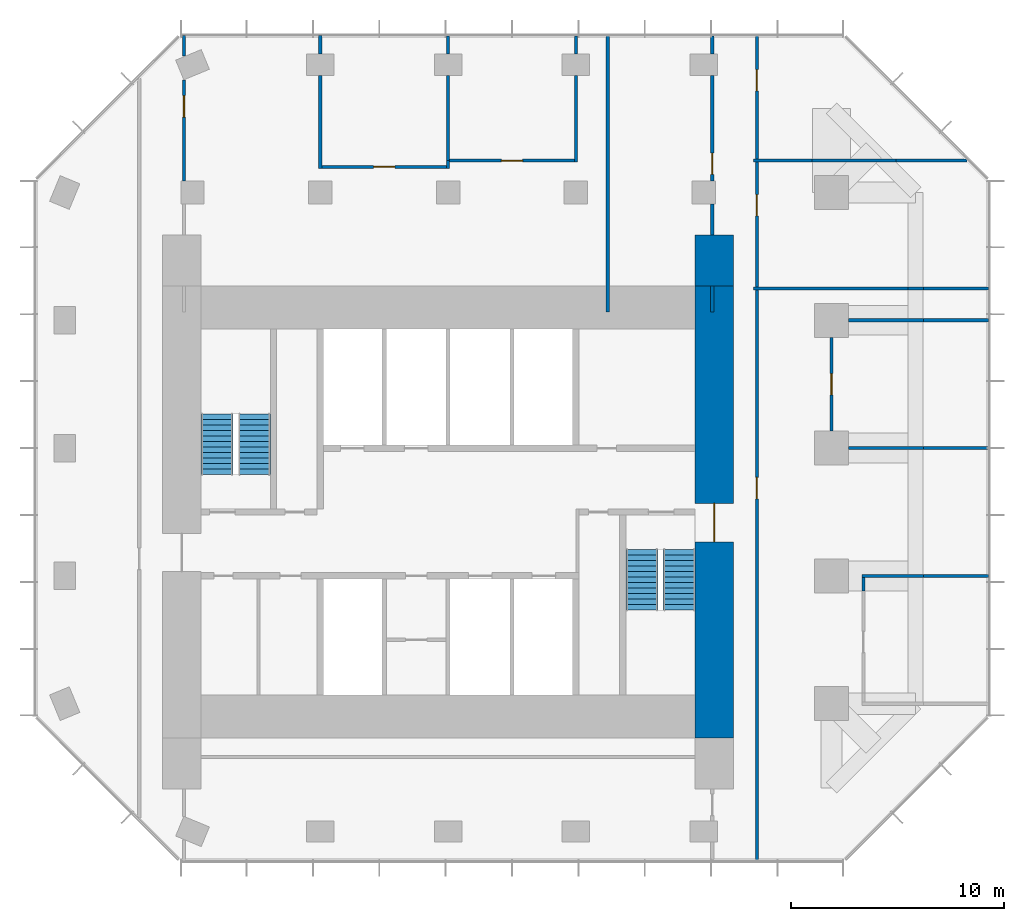
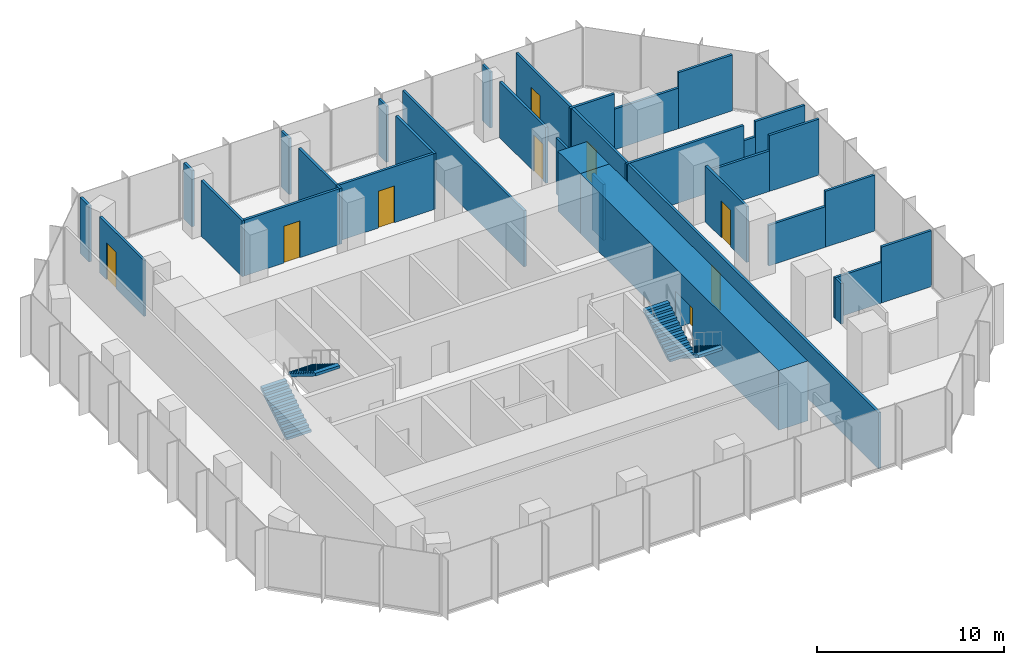
# One storey, part 9 of 10: 35 walls, 9 doors, 4 stair flights, 9 openings, 2 elements without a shape of their own.
"""IFC4 building model written with IfcOpenShell, lengths in metres."""

from ifc_helpers import new_model, si_unit, direction, frame, frame_2d, origin, place, context, subcontext, project, spatial, polyline, rectangle, outline, extrude, material, layer, layer_set, type_object, element, fill, aggregate, save


model = new_model("IFC4")

# Units and contexts
model_context = context("Model", 3, precision=1e-05, world=origin(), true_north=direction((0.0, 1.0)))
body_context = subcontext(model_context, "Body", "Model", "MODEL_VIEW")
ifc_project = project(units=[si_unit("LENGTHUNIT", "METRE"), si_unit("AREAUNIT", "SQUARE_METRE"), si_unit("VOLUMEUNIT", "CUBIC_METRE"), si_unit("PLANEANGLEUNIT", "RADIAN"), si_unit("MASSUNIT", "GRAM", prefix="KILO")], contexts=[model_context])

# Site, building, storey
site_placement = place(None, origin())
site = spatial("IfcSite", under=ifc_project, at=site_placement, CompositionType="ELEMENT")
building_placement = place(site_placement, origin())
building = spatial("IfcBuilding", under=site, at=building_placement, Name="Highveld Stack Headquarters", CompositionType="ELEMENT")
storey_placement = place(building_placement, frame((0.0, 0.0, 252.800048828125)))
storey = spatial("IfcBuildingStorey", under=building, at=storey_placement, Name="L62", CompositionType="ELEMENT", Elevation=252.800048828125)

# Wall, opening, door
ifc_material_1 = material(Name="Concrete C60/75", Category="concrete")
ifc_layer_1 = layer(ifc_material_1, 1.800048828125)
ifc_layer_set_1 = layer_set([ifc_layer_1], Name="Concrete C60/75")
wall_type_1 = type_object("IfcWallType", Name="CORE WALL 1800 C60/75", PredefinedType="SHEAR", material=ifc_layer_set_1)
wall_1_placement = place(storey_placement, frame((18.5, -7.60009765625, 0.0), z_axis=(0.0, 0.0, 1.0), x_axis=(0.0, 1.0, 0.0)))
wall_1 = element("IfcWall", 1, at=wall_1_placement, inside=storey, type_object=wall_type_1, Name="Core wall E L62", PredefinedType="SHEAR", context=body_context, shape_type="SweptSolid", body=[
    extrude(rectangle(XDim=21.2001953125, YDim=1.800048828125, at=frame_2d((10.60009765625, 0.0))), origin(), (0.0, 0.0, 1.0), 3.89990234375),
])
opening_1_placement = place(wall_1_placement, frame((9.199951171875, 0.0, 0.0)))
opening_1 = element("IfcOpeningElement", 2, at=opening_1_placement, cuts=wall_1, Name="Opening L62-02", PredefinedType="OPENING", context=body_context, shape_type="SweptSolid", body=[
    extrude(rectangle(XDim=1.800048828125, YDim=2.39990234375, at=frame_2d((0.89990234375, 1.199951171875))), frame((0.0, 0.909912109375, 0.0), z_axis=(0.0, -1.0, 0.0), x_axis=(1.0, 0.0, 0.0)), (0.0, 0.0, 1.0), 1.820068359375),
])
ifc_material_2 = material(Name="Steel fire door", Category="steel")
door_type_1 = type_object("IfcDoorType", Name="LOBBY FIRE DOOR D4 1800x2400", OperationType="DOUBLE_DOOR_SINGLE_SWING", PredefinedType="DOOR", material=ifc_material_2)
door_1_placement = place(opening_1_placement, origin())
door_1 = element("IfcDoor", 3, at=door_1_placement, inside=storey, type_object=door_type_1, Name="Core east door L62", OperationType="DOUBLE_DOOR_SINGLE_SWING", OverallHeight=2.39990234375, OverallWidth=1.800048828125, PredefinedType="DOOR", context=body_context, shape_type="SweptSolid", body=[
    extrude(rectangle(XDim=1.800048828125, YDim=2.39990234375, at=frame_2d((0.89990234375, 1.199951171875))), frame((0.0, 0.02490234375, 0.0), z_axis=(0.0, -1.0, 0.0), x_axis=(1.0, 0.0, 0.0)), (0.0, 0.0, 1.0), 0.050048828125),
])
fill(opening_1, door_1)

# Walls
ifc_material_3 = material(Name="Concrete C60/75", Category="concrete")
ifc_layer_2 = layer(ifc_material_3, 1.800048828125)
ifc_layer_set_2 = layer_set([ifc_layer_2], Name="Concrete C60/75")
wall_type_2 = type_object("IfcWallType", Name="CORE WING WALL 1800 C60/75", PredefinedType="SHEAR", material=ifc_layer_set_2)
wall_2_placement = place(storey_placement, frame((18.5, 13.60009765625, 0.0), z_axis=(0.0, 0.0, 1.0), x_axis=(0.0, 1.0, 0.0)))
element("IfcWall", 4, at=wall_2_placement, inside=storey, type_object=wall_type_2, Name="Core wing wall EN L62", PredefinedType="SHEAR", context=body_context, shape_type="SweptSolid", body=[
    extrude(rectangle(XDim=2.39990234375, YDim=1.800048828125, at=frame_2d((1.199951171875, 0.0))), origin(), (0.0, 0.0, 1.0), 3.89990234375),
])
ifc_material_4 = material(Name="Gypsum plasterboard on steel studs", Category="steel")
ifc_layer_3 = layer(ifc_material_4, 0.14990234375)
ifc_layer_set_3 = layer_set([ifc_layer_3], Name="Gypsum plasterboard on steel studs")
wall_type_3 = type_object("IfcWallType", Name="PARTITION 150 PLASTERBOARD", PredefinedType="PARTITIONING", material=ifc_layer_set_3)
wall_3_placement = place(storey_placement, frame((25.425048828125, 0.0, 0.0), z_axis=(0.0, 0.0, 1.0), x_axis=(1.0, 0.0, 0.0)))
element("IfcWall", 5, at=wall_3_placement, inside=storey, type_object=wall_type_3, Name="Partition Quiet room L62", PredefinedType="PARTITIONING", context=body_context, shape_type="SweptSolid", body=[
    extrude(rectangle(XDim=2.885009765625, YDim=0.14990234375, at=frame_2d((1.4423828125, 0.0))), origin(), (0.0, 0.0, 1.0), 2.64990234375),
])
wall_4_placement = place(storey_placement, frame((28.31005859375, 0.0, 0.0), z_axis=(0.0, 0.0, 1.0), x_axis=(1.0, 0.0, 0.0)))
element("IfcWall", 6, at=wall_4_placement, inside=storey, type_object=wall_type_3, Name="Partition Quiet room L62", PredefinedType="PARTITIONING", context=body_context, shape_type="SweptSolid", body=[
    extrude(rectangle(XDim=3.06494140625, YDim=0.14990234375, at=frame_2d((1.532470703125, 0.0))), origin(), (0.0, 0.0, 1.0), 3.64990234375),
])
wall_5_placement = place(storey_placement, frame((24.800048828125, 6.0, 0.0), z_axis=(0.0, 0.0, 1.0), x_axis=(1.0, 0.0, 0.0)))
element("IfcWall", 7, at=wall_5_placement, inside=storey, type_object=wall_type_3, Name="Partition Executive office L62", PredefinedType="PARTITIONING", context=body_context, shape_type="SweptSolid", body=[
    extrude(rectangle(XDim=3.510009765625, YDim=0.14990234375, at=frame_2d((1.7548828125, 0.0))), origin(), (0.0, 0.0, 1.0), 2.64990234375),
])
wall_6_placement = place(storey_placement, frame((28.31005859375, 6.0, 0.0), z_axis=(0.0, 0.0, 1.0), x_axis=(1.0, 0.0, 0.0)))
element("IfcWall", 8, at=wall_6_placement, inside=storey, type_object=wall_type_3, Name="Partition Executive office L62", PredefinedType="PARTITIONING", context=body_context, shape_type="SweptSolid", body=[
    extrude(rectangle(XDim=3.0400390625, YDim=0.14990234375, at=frame_2d((1.52001953125, 0.0))), origin(), (0.0, 0.0, 1.0), 3.64990234375),
])
wall_7_placement = place(storey_placement, frame((24.800048828125, 12.0, 0.0), z_axis=(0.0, 0.0, 1.0), x_axis=(1.0, 0.0, 0.0)))
element("IfcWall", 9, at=wall_7_placement, inside=storey, type_object=wall_type_3, Name="Partition Executive office L62", PredefinedType="PARTITIONING", context=body_context, shape_type="SweptSolid", body=[
    extrude(rectangle(XDim=3.510009765625, YDim=0.14990234375, at=frame_2d((1.7548828125, 0.0))), origin(), (0.0, 0.0, 1.0), 2.64990234375),
])
wall_8_placement = place(storey_placement, frame((28.31005859375, 12.0, 0.0), z_axis=(0.0, 0.0, 1.0), x_axis=(1.0, 0.0, 0.0)))
element("IfcWall", 10, at=wall_8_placement, inside=storey, type_object=wall_type_3, Name="Partition Executive office L62", PredefinedType="PARTITIONING", context=body_context, shape_type="SweptSolid", body=[
    extrude(rectangle(XDim=3.06494140625, YDim=0.14990234375, at=frame_2d((1.532470703125, 0.0))), origin(), (0.0, 0.0, 1.0), 3.64990234375),
])

# Wall, opening, door
wall_9_placement = place(storey_placement, frame((0.074951171875, 19.199951171875, 0.0), z_axis=(0.0, 0.0, 1.0), x_axis=(1.0, 0.0, 0.0)))
wall_9 = element("IfcWall", 11, at=wall_9_placement, inside=storey, type_object=wall_type_3, Name="Partition Tea kitchen L62", PredefinedType="PARTITIONING", context=body_context, shape_type="SweptSolid", body=[
    extrude(rectangle(XDim=5.85009765625, YDim=0.14990234375, at=frame_2d((2.925048828125, 0.0))), origin(), (0.0, 0.0, 1.0), 3.64990234375),
])
opening_2_placement = place(wall_9_placement, frame((2.425048828125, 0.0, 0.0)))
opening_2 = element("IfcOpeningElement", 12, at=opening_2_placement, cuts=wall_9, Name="Opening L62-14", PredefinedType="OPENING", context=body_context, shape_type="SweptSolid", body=[
    extrude(rectangle(XDim=1.0, YDim=2.39990234375, at=frame_2d((0.5, 1.199951171875))), frame((0.0, 0.0849609375, 0.0), z_axis=(0.0, -1.0, 0.0), x_axis=(1.0, 0.0, 0.0)), (0.0, 0.0, 1.0), 0.169921875),
])
ifc_material_5 = material(Name="Timber door, oiled ash", Category="wood")
door_type_2 = type_object("IfcDoorType", Name="ROOM DOOR D11 1000x2400", OperationType="SINGLE_SWING_LEFT", PredefinedType="DOOR", material=ifc_material_5)
door_2_placement = place(opening_2_placement, origin())
door_2 = element("IfcDoor", 13, at=door_2_placement, inside=storey, type_object=door_type_2, Name="Tea kitchen door 1 L62", OperationType="SINGLE_SWING_LEFT", OverallHeight=2.39990234375, OverallWidth=1.0, PredefinedType="DOOR", context=body_context, shape_type="SweptSolid", body=[
    extrude(rectangle(XDim=1.0, YDim=2.39990234375, at=frame_2d((0.5, 1.199951171875))), frame((0.0, 0.02490234375, 0.0), z_axis=(0.0, -1.0, 0.0), x_axis=(1.0, 0.0, 0.0)), (0.0, 0.0, 1.0), 0.050048828125),
])
fill(opening_2, door_2)

wall_10_placement = place(storey_placement, frame((6.074951171875, 19.5, 0.0), z_axis=(0.0, 0.0, 1.0), x_axis=(1.0, 0.0, 0.0)))
wall_10 = element("IfcWall", 14, at=wall_10_placement, inside=storey, type_object=wall_type_3, Name="Partition Quiet room L62", PredefinedType="PARTITIONING", context=body_context, shape_type="SweptSolid", body=[
    extrude(rectangle(XDim=5.85009765625, YDim=0.14990234375, at=frame_2d((2.925048828125, 0.0))), origin(), (0.0, 0.0, 1.0), 3.64990234375),
])
opening_3_placement = place(wall_10_placement, frame((2.425048828125, 0.0, 0.0)))
opening_3 = element("IfcOpeningElement", 15, at=opening_3_placement, cuts=wall_10, Name="Opening L62-15", PredefinedType="OPENING", context=body_context, shape_type="SweptSolid", body=[
    extrude(rectangle(XDim=1.0, YDim=2.39990234375, at=frame_2d((0.5, 1.199951171875))), frame((0.0, 0.0849609375, 0.0), z_axis=(0.0, -1.0, 0.0), x_axis=(1.0, 0.0, 0.0)), (0.0, 0.0, 1.0), 0.169921875),
])
door_3_placement = place(opening_3_placement, origin())
door_3 = element("IfcDoor", 16, at=door_3_placement, inside=storey, type_object=door_type_2, Name="Quiet room door 1 L62", OperationType="SINGLE_SWING_RIGHT", OverallHeight=2.39990234375, OverallWidth=1.0, PredefinedType="DOOR", context=body_context, shape_type="SweptSolid", body=[
    extrude(rectangle(XDim=1.0, YDim=2.39990234375, at=frame_2d((0.5, 1.199951171875))), frame((0.0, 0.02490234375, 0.0), z_axis=(0.0, -1.0, 0.0), x_axis=(1.0, 0.0, 0.0)), (0.0, 0.0, 1.0), 0.050048828125),
])
fill(opening_3, door_3)

# Walls
wall_11_placement = place(storey_placement, frame((0.0, 19.125, 0.0), z_axis=(0.0, 0.0, 1.0), x_axis=(0.0, 1.0, 0.0)))
element("IfcWall", 17, at=wall_11_placement, inside=storey, type_object=wall_type_3, Name="Partition Tea kitchen L62", PredefinedType="PARTITIONING", context=body_context, shape_type="SweptSolid", body=[
    extrude(rectangle(XDim=4.375, YDim=0.14990234375, at=frame_2d((2.1875, 0.0))), origin(), (0.0, 0.0, 1.0), 3.64990234375),
])
wall_12_placement = place(storey_placement, frame((0.0, 24.5, 0.0), z_axis=(0.0, 0.0, 1.0), x_axis=(0.0, 1.0, 0.0)))
element("IfcWall", 18, at=wall_12_placement, inside=storey, type_object=wall_type_3, Name="Partition Tea kitchen L62", PredefinedType="PARTITIONING", context=body_context, shape_type="SweptSolid", body=[
    extrude(rectangle(XDim=0.875, YDim=0.14990234375, at=frame_2d((0.4375, 0.0))), origin(), (0.0, 0.0, 1.0), 3.64990234375),
])
wall_13_placement = place(storey_placement, frame((6.0, 19.125, 0.0), z_axis=(0.0, 0.0, 1.0), x_axis=(0.0, 1.0, 0.0)))
element("IfcWall", 19, at=wall_13_placement, inside=storey, type_object=wall_type_3, Name="Partition Tea kitchen L62", PredefinedType="PARTITIONING", context=body_context, shape_type="SweptSolid", body=[
    extrude(rectangle(XDim=0.375, YDim=0.14990234375, at=frame_2d((0.1875, 0.0))), origin(), (0.0, 0.0, 1.0), 3.64990234375),
])
wall_14_placement = place(storey_placement, frame((6.0, 19.5, 0.0), z_axis=(0.0, 0.0, 1.0), x_axis=(0.0, 1.0, 0.0)))
element("IfcWall", 20, at=wall_14_placement, inside=storey, type_object=wall_type_3, Name="Partition Quiet room / Tea kitchen L62", PredefinedType="PARTITIONING", context=body_context, shape_type="SweptSolid", body=[
    extrude(rectangle(XDim=4.0, YDim=0.14990234375, at=frame_2d((2.0, 0.0))), origin(), (0.0, 0.0, 1.0), 3.64990234375),
])
wall_15_placement = place(storey_placement, frame((6.0, 24.5, 0.0), z_axis=(0.0, 0.0, 1.0), x_axis=(0.0, 1.0, 0.0)))
element("IfcWall", 21, at=wall_15_placement, inside=storey, type_object=wall_type_3, Name="Partition Quiet room / Tea kitchen L62", PredefinedType="PARTITIONING", context=body_context, shape_type="SweptSolid", body=[
    extrude(rectangle(XDim=0.85009765625, YDim=0.14990234375, at=frame_2d((0.425048828125, 0.0))), origin(), (0.0, 0.0, 1.0), 3.64990234375),
])
wall_16_placement = place(storey_placement, frame((12.0, 19.425048828125, 0.0), z_axis=(0.0, 0.0, 1.0), x_axis=(0.0, 1.0, 0.0)))
element("IfcWall", 22, at=wall_16_placement, inside=storey, type_object=wall_type_3, Name="Partition Quiet room L62", PredefinedType="PARTITIONING", context=body_context, shape_type="SweptSolid", body=[
    extrude(rectangle(XDim=4.074951171875, YDim=0.14990234375, at=frame_2d((2.03759765625, 0.0))), origin(), (0.0, 0.0, 1.0), 3.64990234375),
])
wall_17_placement = place(storey_placement, frame((12.0, 24.5, 0.0), z_axis=(0.0, 0.0, 1.0), x_axis=(0.0, 1.0, 0.0)))
element("IfcWall", 23, at=wall_17_placement, inside=storey, type_object=wall_type_3, Name="Partition Quiet room L62", PredefinedType="PARTITIONING", context=body_context, shape_type="SweptSolid", body=[
    extrude(rectangle(XDim=0.85009765625, YDim=0.14990234375, at=frame_2d((0.425048828125, 0.0))), origin(), (0.0, 0.0, 1.0), 3.64990234375),
])

# Wall, opening, door
wall_18_placement = place(storey_placement, frame((24.0, 6.800048828125, 0.0), z_axis=(0.0, 0.0, 1.0), x_axis=(0.0, 1.0, 0.0)))
wall_18 = element("IfcWall", 24, at=wall_18_placement, inside=storey, type_object=wall_type_3, Name="Partition Executive office L62", PredefinedType="PARTITIONING", context=body_context, shape_type="SweptSolid", body=[
    extrude(rectangle(XDim=4.39990234375, YDim=0.14990234375, at=frame_2d((2.199951171875, 0.0))), origin(), (0.0, 0.0, 1.0), 3.64990234375),
])
opening_4_placement = place(wall_18_placement, frame((1.699951171875, 0.0, 0.0)))
opening_4 = element("IfcOpeningElement", 25, at=opening_4_placement, cuts=wall_18, Name="Opening L62-13", PredefinedType="OPENING", context=body_context, shape_type="SweptSolid", body=[
    extrude(rectangle(XDim=1.0, YDim=2.39990234375, at=frame_2d((0.5, 1.199951171875))), frame((0.0, 0.0849609375, 0.0), z_axis=(0.0, -1.0, 0.0), x_axis=(1.0, 0.0, 0.0)), (0.0, 0.0, 1.0), 0.169921875),
])
door_4_placement = place(opening_4_placement, origin())
door_4 = element("IfcDoor", 26, at=door_4_placement, inside=storey, type_object=door_type_2, Name="Executive office door 1 L62", OperationType="SINGLE_SWING_RIGHT", OverallHeight=2.39990234375, OverallWidth=1.0, PredefinedType="DOOR", context=body_context, shape_type="SweptSolid", body=[
    extrude(rectangle(XDim=1.0, YDim=2.39990234375, at=frame_2d((0.5, 1.199951171875))), frame((0.0, 0.02490234375, 0.0), z_axis=(0.0, -1.0, 0.0), x_axis=(1.0, 0.0, 0.0)), (0.0, 0.0, 1.0), 0.050048828125),
])
fill(opening_4, door_4)

# Wall
wall_19_placement = place(storey_placement, frame((25.5, -0.7099609375, 0.0), z_axis=(0.0, 0.0, 1.0), x_axis=(0.0, 1.0, 0.0)))
element("IfcWall", 27, at=wall_19_placement, inside=storey, type_object=wall_type_3, Name="Partition Quiet room L62", PredefinedType="PARTITIONING", context=body_context, shape_type="SweptSolid", body=[
    extrude(rectangle(XDim=0.635009765625, YDim=0.14990234375, at=frame_2d((0.3173828125, 0.0))), origin(), (0.0, 0.0, 1.0), 2.64990234375),
])

# Wall, opening, door
wall_20_placement = place(storey_placement, frame((-6.39990234375, 18.550048828125, 0.0), z_axis=(0.0, 0.0, 1.0), x_axis=(0.0, 1.0, 0.0)))
wall_20 = element("IfcWall", 28, at=wall_20_placement, inside=storey, type_object=wall_type_3, Name="Partition office neighbourhood L62", PredefinedType="PARTITIONING", context=body_context, shape_type="SweptSolid", body=[
    extrude(rectangle(XDim=4.7392578125, YDim=0.14990234375, at=frame_2d((2.36962890625, 0.0))), origin(), (0.0, 0.0, 1.0), 3.64990234375),
])
opening_5_placement = place(wall_20_placement, frame((2.9951171875, 0.0, 0.0)))
opening_5 = element("IfcOpeningElement", 29, at=opening_5_placement, cuts=wall_20, Name="Opening L62-19", PredefinedType="OPENING", context=body_context, shape_type="SweptSolid", body=[
    extrude(rectangle(XDim=1.0, YDim=2.39990234375, at=frame_2d((0.5, 1.199951171875))), frame((0.0, 0.0849609375, 0.0), z_axis=(0.0, -1.0, 0.0), x_axis=(1.0, 0.0, 0.0)), (0.0, 0.0, 1.0), 0.169921875),
])
door_5_placement = place(opening_5_placement, origin())
door_5 = element("IfcDoor", 30, at=door_5_placement, inside=storey, type_object=door_type_2, Name="Office neighbourhood door L62", OperationType="SINGLE_SWING_RIGHT", OverallHeight=2.39990234375, OverallWidth=1.0, PredefinedType="DOOR", context=body_context, shape_type="SweptSolid", body=[
    extrude(rectangle(XDim=1.0, YDim=2.39990234375, at=frame_2d((0.5, 1.199951171875))), frame((0.0, 0.02490234375, 0.0), z_axis=(0.0, -1.0, 0.0), x_axis=(1.0, 0.0, 0.0)), (0.0, 0.0, 1.0), 0.050048828125),
])
fill(opening_5, door_5)

# Walls
wall_21_placement = place(storey_placement, frame((-6.39990234375, 24.406494140625, 0.0), z_axis=(0.0, 0.0, 1.0), x_axis=(0.0, 1.0, 0.0)))
element("IfcWall", 31, at=wall_21_placement, inside=storey, type_object=wall_type_3, Name="Partition office neighbourhood L62", PredefinedType="PARTITIONING", context=body_context, shape_type="SweptSolid", body=[
    extrude(rectangle(XDim=0.968505859375, YDim=0.14990234375, at=frame_2d((0.484375, 0.0))), origin(), (0.0, 0.0, 1.0), 3.64990234375),
])
wall_22_placement = place(storey_placement, frame((13.5, 12.39990234375, 0.0), z_axis=(0.0, 0.0, 1.0), x_axis=(0.0, 1.0, 0.0)))
element("IfcWall", 32, at=wall_22_placement, inside=storey, type_object=wall_type_3, Name="Partition office neighbourhood L62", PredefinedType="PARTITIONING", context=body_context, shape_type="SweptSolid", body=[
    extrude(rectangle(XDim=12.97509765625, YDim=0.14990234375, at=frame_2d((6.487548828125, 0.0))), origin(), (0.0, 0.0, 1.0), 3.64990234375),
])
wall_23_placement = place(storey_placement, frame((18.39990234375, 12.39990234375, 0.0), z_axis=(0.0, 0.0, 1.0), x_axis=(0.0, 1.0, 0.0)))
element("IfcWall", 33, at=wall_23_placement, inside=storey, type_object=wall_type_3, Name="Partition office neighbourhood L62", PredefinedType="PARTITIONING", context=body_context, shape_type="SweptSolid", body=[
    extrude(rectangle(XDim=1.2001953125, YDim=0.14990234375, at=frame_2d((0.60009765625, 0.0))), origin(), (0.0, 0.0, 1.0), 3.64990234375),
])
wall_24_placement = place(storey_placement, frame((18.39990234375, 16.0, 0.0), z_axis=(0.0, 0.0, 1.0), x_axis=(0.0, 1.0, 0.0)))
element("IfcWall", 34, at=wall_24_placement, inside=storey, type_object=wall_type_3, Name="Partition office neighbourhood L62", PredefinedType="PARTITIONING", context=body_context, shape_type="SweptSolid", body=[
    extrude(rectangle(XDim=1.449951171875, YDim=0.14990234375, at=frame_2d((0.72509765625, 0.0))), origin(), (0.0, 0.0, 1.0), 3.64990234375),
])

# Wall, opening, door
wall_25_placement = place(storey_placement, frame((18.39990234375, 18.550048828125, 0.0), z_axis=(0.0, 0.0, 1.0), x_axis=(0.0, 1.0, 0.0)))
wall_25 = element("IfcWall", 35, at=wall_25_placement, inside=storey, type_object=wall_type_3, Name="Partition office neighbourhood L62", PredefinedType="PARTITIONING", context=body_context, shape_type="SweptSolid", body=[
    extrude(rectangle(XDim=4.949951171875, YDim=0.14990234375, at=frame_2d((2.47509765625, 0.0))), origin(), (0.0, 0.0, 1.0), 3.64990234375),
])
opening_6_placement = place(wall_25_placement, frame((0.300048828125, 0.0, 0.0)))
opening_6 = element("IfcOpeningElement", 36, at=opening_6_placement, cuts=wall_25, Name="Opening L62-20", PredefinedType="OPENING", context=body_context, shape_type="SweptSolid", body=[
    extrude(rectangle(XDim=1.0, YDim=2.39990234375, at=frame_2d((0.5, 1.199951171875))), frame((0.0, 0.0849609375, 0.0), z_axis=(0.0, -1.0, 0.0), x_axis=(1.0, 0.0, 0.0)), (0.0, 0.0, 1.0), 0.169921875),
])
door_6_placement = place(opening_6_placement, origin())
door_6 = element("IfcDoor", 37, at=door_6_placement, inside=storey, type_object=door_type_2, Name="Office neighbourhood door L62", OperationType="SINGLE_SWING_LEFT", OverallHeight=2.39990234375, OverallWidth=1.0, PredefinedType="DOOR", context=body_context, shape_type="SweptSolid", body=[
    extrude(rectangle(XDim=1.0, YDim=2.39990234375, at=frame_2d((0.5, 1.199951171875))), frame((0.0, 0.02490234375, 0.0), z_axis=(0.0, -1.0, 0.0), x_axis=(1.0, 0.0, 0.0)), (0.0, 0.0, 1.0), 0.050048828125),
])
fill(opening_6, door_6)

# Wall
wall_26_placement = place(storey_placement, frame((18.39990234375, 24.5, 0.0), z_axis=(0.0, 0.0, 1.0), x_axis=(0.0, 1.0, 0.0)))
element("IfcWall", 38, at=wall_26_placement, inside=storey, type_object=wall_type_3, Name="Partition office neighbourhood L62", PredefinedType="PARTITIONING", context=body_context, shape_type="SweptSolid", body=[
    extrude(rectangle(XDim=0.85009765625, YDim=0.14990234375, at=frame_2d((0.425048828125, 0.0))), origin(), (0.0, 0.0, 1.0), 3.64990234375),
])

# Wall, opening, door
wall_27_placement = place(storey_placement, frame((20.5, -13.375, 0.0), z_axis=(0.0, 0.0, 1.0), x_axis=(0.0, 1.0, 0.0)))
wall_27 = element("IfcWall", 39, at=wall_27_placement, inside=storey, type_object=wall_type_3, Name="Partition office neighbourhood L62", PredefinedType="PARTITIONING", context=body_context, shape_type="SweptSolid", body=[
    extrude(rectangle(XDim=26.800048828125, YDim=0.14990234375, at=frame_2d((13.39990234375, 0.0))), origin(), (0.0, 0.0, 1.0), 3.64990234375),
])
opening_7_placement = place(wall_27_placement, frame((16.9951171875, 0.0, 0.0)))
opening_7 = element("IfcOpeningElement", 40, at=opening_7_placement, cuts=wall_27, Name="Opening L62-16", PredefinedType="OPENING", context=body_context, shape_type="SweptSolid", body=[
    extrude(rectangle(XDim=1.0, YDim=2.39990234375, at=frame_2d((0.5, 1.199951171875))), frame((0.0, 0.0849609375, 0.0), z_axis=(0.0, -1.0, 0.0), x_axis=(1.0, 0.0, 0.0)), (0.0, 0.0, 1.0), 0.169921875),
])
door_7_placement = place(opening_7_placement, origin())
door_7 = element("IfcDoor", 41, at=door_7_placement, inside=storey, type_object=door_type_2, Name="Office neighbourhood door L62", OperationType="SINGLE_SWING_RIGHT", OverallHeight=2.39990234375, OverallWidth=1.0, PredefinedType="DOOR", context=body_context, shape_type="SweptSolid", body=[
    extrude(rectangle(XDim=1.0, YDim=2.39990234375, at=frame_2d((0.5, 1.199951171875))), frame((0.0, 0.02490234375, 0.0), z_axis=(0.0, -1.0, 0.0), x_axis=(1.0, 0.0, 0.0)), (0.0, 0.0, 1.0), 0.050048828125),
])
fill(opening_7, door_7)

wall_28_placement = place(storey_placement, frame((20.5, 13.574951171875, 0.0), z_axis=(0.0, 0.0, 1.0), x_axis=(0.0, 1.0, 0.0)))
wall_28 = element("IfcWall", 42, at=wall_28_placement, inside=storey, type_object=wall_type_3, Name="Partition office neighbourhood L62", PredefinedType="PARTITIONING", context=body_context, shape_type="SweptSolid", body=[
    extrude(rectangle(XDim=5.85009765625, YDim=0.14990234375, at=frame_2d((2.925048828125, 0.0))), origin(), (0.0, 0.0, 1.0), 3.64990234375),
])
opening_8_placement = place(wall_28_placement, frame((3.324951171875, 0.0, 0.0)))
opening_8 = element("IfcOpeningElement", 43, at=opening_8_placement, cuts=wall_28, Name="Opening L62-18", PredefinedType="OPENING", context=body_context, shape_type="SweptSolid", body=[
    extrude(rectangle(XDim=1.0, YDim=2.39990234375, at=frame_2d((0.5, 1.199951171875))), frame((0.0, 0.0849609375, 0.0), z_axis=(0.0, -1.0, 0.0), x_axis=(1.0, 0.0, 0.0)), (0.0, 0.0, 1.0), 0.169921875),
])
door_8_placement = place(opening_8_placement, origin())
door_8 = element("IfcDoor", 44, at=door_8_placement, inside=storey, type_object=door_type_2, Name="Office neighbourhood door L62", OperationType="SINGLE_SWING_RIGHT", OverallHeight=2.39990234375, OverallWidth=1.0, PredefinedType="DOOR", context=body_context, shape_type="SweptSolid", body=[
    extrude(rectangle(XDim=1.0, YDim=2.39990234375, at=frame_2d((0.5, 1.199951171875))), frame((0.0, 0.02490234375, 0.0), z_axis=(0.0, -1.0, 0.0), x_axis=(1.0, 0.0, 0.0)), (0.0, 0.0, 1.0), 0.050048828125),
])
fill(opening_8, door_8)

# Walls
wall_29_placement = place(storey_placement, frame((20.35009765625, 13.5, 0.0), z_axis=(0.0, 0.0, 1.0), x_axis=(1.0, 0.0, 0.0)))
element("IfcWall", 45, at=wall_29_placement, inside=storey, type_object=wall_type_3, Name="Partition office neighbourhood L62", PredefinedType="PARTITIONING", context=body_context, shape_type="SweptSolid", body=[
    extrude(rectangle(XDim=7.239990234375, YDim=0.14990234375, at=frame_2d((3.6201171875, 0.0))), origin(), (0.0, 0.0, 1.0), 3.64990234375),
])
wall_30_placement = place(storey_placement, frame((27.590087890625, 13.5, 0.0), z_axis=(0.0, 0.0, 1.0), x_axis=(1.0, 0.0, 0.0)))
element("IfcWall", 46, at=wall_30_placement, inside=storey, type_object=wall_type_3, Name="Partition office neighbourhood L62", PredefinedType="PARTITIONING", context=body_context, shape_type="SweptSolid", body=[
    extrude(rectangle(XDim=0.719970703125, YDim=0.14990234375, at=frame_2d((0.35986328125, 0.0))), origin(), (0.0, 0.0, 1.0), 2.64990234375),
])
wall_31_placement = place(storey_placement, frame((28.31005859375, 13.5, 0.0), z_axis=(0.0, 0.0, 1.0), x_axis=(1.0, 0.0, 0.0)))
element("IfcWall", 47, at=wall_31_placement, inside=storey, type_object=wall_type_3, Name="Partition office neighbourhood L62", PredefinedType="PARTITIONING", context=body_context, shape_type="SweptSolid", body=[
    extrude(rectangle(XDim=3.06494140625, YDim=0.14990234375, at=frame_2d((1.532470703125, 0.0))), origin(), (0.0, 0.0, 1.0), 3.64990234375),
])

# Wall, opening, door
wall_32_placement = place(storey_placement, frame((20.5, 19.574951171875, 0.0), z_axis=(0.0, 0.0, 1.0), x_axis=(0.0, 1.0, 0.0)))
wall_32 = element("IfcWall", 48, at=wall_32_placement, inside=storey, type_object=wall_type_3, Name="Partition office neighbourhood L62", PredefinedType="PARTITIONING", context=body_context, shape_type="SweptSolid", body=[
    extrude(rectangle(XDim=5.800048828125, YDim=0.14990234375, at=frame_2d((2.89990234375, 0.0))), origin(), (0.0, 0.0, 1.0), 3.64990234375),
])
opening_9_placement = place(wall_32_placement, frame((3.195068359375, 0.0, 0.0)))
opening_9 = element("IfcOpeningElement", 49, at=opening_9_placement, cuts=wall_32, Name="Opening L62-21", PredefinedType="OPENING", context=body_context, shape_type="SweptSolid", body=[
    extrude(rectangle(XDim=1.0, YDim=2.39990234375, at=frame_2d((0.5, 1.199951171875))), frame((0.0, 0.0849609375, 0.0), z_axis=(0.0, -1.0, 0.0), x_axis=(1.0, 0.0, 0.0)), (0.0, 0.0, 1.0), 0.169921875),
])
door_9_placement = place(opening_9_placement, origin())
door_9 = element("IfcDoor", 50, at=door_9_placement, inside=storey, type_object=door_type_2, Name="Office neighbourhood door L62", OperationType="SINGLE_SWING_RIGHT", OverallHeight=2.39990234375, OverallWidth=1.0, PredefinedType="DOOR", context=body_context, shape_type="SweptSolid", body=[
    extrude(rectangle(XDim=1.0, YDim=2.39990234375, at=frame_2d((0.5, 1.199951171875))), frame((0.0, 0.02490234375, 0.0), z_axis=(0.0, -1.0, 0.0), x_axis=(1.0, 0.0, 0.0)), (0.0, 0.0, 1.0), 0.050048828125),
])
fill(opening_9, door_9)

# Walls
wall_33_placement = place(storey_placement, frame((20.35009765625, 19.5, 0.0), z_axis=(0.0, 0.0, 1.0), x_axis=(1.0, 0.0, 0.0)))
element("IfcWall", 51, at=wall_33_placement, inside=storey, type_object=wall_type_3, Name="Partition office neighbourhood L62", PredefinedType="PARTITIONING", context=body_context, shape_type="SweptSolid", body=[
    extrude(rectangle(XDim=2.739990234375, YDim=0.14990234375, at=frame_2d((1.3701171875, 0.0))), origin(), (0.0, 0.0, 1.0), 3.64990234375),
])
wall_34_placement = place(storey_placement, frame((23.090087890625, 19.5, 0.0), z_axis=(0.0, 0.0, 1.0), x_axis=(1.0, 0.0, 0.0)))
element("IfcWall", 52, at=wall_34_placement, inside=storey, type_object=wall_type_3, Name="Partition office neighbourhood L62", PredefinedType="PARTITIONING", context=body_context, shape_type="SweptSolid", body=[
    extrude(rectangle(XDim=3.949951171875, YDim=0.14990234375, at=frame_2d((1.97509765625, 0.0))), origin(), (0.0, 0.0, 1.0), 2.64990234375),
])
wall_35_placement = place(storey_placement, frame((27.0400390625, 19.5, 0.0), z_axis=(0.0, 0.0, 1.0), x_axis=(1.0, 0.0, 0.0)))
element("IfcWall", 53, at=wall_35_placement, inside=storey, type_object=wall_type_3, Name="Partition office neighbourhood L62", PredefinedType="PARTITIONING", context=body_context, shape_type="SweptSolid", body=[
    extrude(rectangle(XDim=3.322998046875, YDim=0.14990234375, at=frame_2d((1.66162109375, 0.0))), origin(), (0.0, 0.0, 1.0), 3.64990234375),
])

# Stair, stair flights
ifc_material_6 = material(Name="Concrete C40/50, precast", Category="concrete")
stair_type_1 = type_object("IfcStairType", Name="STAIR S1 HALF TURN 1500", PredefinedType="HALF_TURN_STAIR", material=ifc_material_6)
stair_1_placement = place(storey_placement, origin())
stair_1 = element("IfcStair", 54, at=stair_1_placement, inside=storey, type_object=stair_type_1, Name="Stair S1 L62", PredefinedType="HALF_TURN_STAIR")
ifc_material_7 = material(Name="Concrete C40/50, precast", Category="concrete")
stair_flight_type = type_object("IfcStairFlightType", Name="STAIR FLIGHT 1500 PRECAST", PredefinedType="STRAIGHT", material=ifc_material_7)
stair_flight_1_placement = place(storey_placement, frame((-4.85009765625, 4.75, 0.0), z_axis=(0.0, 0.0, 1.0), x_axis=(0.0, 1.0, 0.0)))
stair_flight_1 = element("IfcStairFlight", 55, at=stair_flight_1_placement, type_object=stair_flight_type, Name="S1 flight 1", NumberOfRisers=12, NumberOfTreads=11, PredefinedType="STRAIGHT", RiserHeight=0.1625, TreadLength=0.26, context=body_context, shape_type="SweptSolid", body=[
    extrude(outline(polyline([(0.0, 0.0), (0.0, 0.16259765625), (0.260009765625, 0.16259765625), (0.260009765625, 0.324951171875), (0.52001953125, 0.324951171875), (0.52001953125, 0.487548828125), (0.780029296875, 0.487548828125), (0.780029296875, 0.64990234375), (1.0400390625, 0.64990234375), (1.0400390625, 0.8125), (1.300048828125, 0.8125), (1.300048828125, 0.97509765625), (1.56005859375, 0.97509765625), (1.56005859375, 1.137451171875), (1.820068359375, 1.137451171875), (1.820068359375, 1.300048828125), (2.080078125, 1.300048828125), (2.080078125, 1.46240234375), (2.340087890625, 1.46240234375), (2.340087890625, 1.625), (2.60009765625, 1.625), (2.60009765625, 1.78759765625), (2.860107421875, 1.78759765625), (2.860107421875, 1.949951171875), (2.860107421875, 1.61083984375), (0.28271484375, 0.0), (0.0, 0.0)])), frame((0.0, 0.75, 0.0), z_axis=(0.0, -1.0, 0.0), x_axis=(1.0, 0.0, 0.0)), (0.0, 0.0, 1.0), 1.5),
])
stair_flight_2_placement = place(storey_placement, frame((-3.10009765625, 7.610107421875, 1.949951171875), z_axis=(0.0, 0.0, 1.0), x_axis=(0.0, -1.0, 0.0)))
stair_flight_2 = element("IfcStairFlight", 56, at=stair_flight_2_placement, type_object=stair_flight_type, Name="S1 flight 2", NumberOfRisers=12, NumberOfTreads=11, PredefinedType="STRAIGHT", RiserHeight=0.1625, TreadLength=0.26, context=body_context, shape_type="SweptSolid", body=[
    extrude(outline(polyline([(0.0, 0.0), (0.0, 0.16259765625), (0.260009765625, 0.16259765625), (0.260009765625, 0.324951171875), (0.52001953125, 0.324951171875), (0.52001953125, 0.487548828125), (0.780029296875, 0.487548828125), (0.780029296875, 0.64990234375), (1.0400390625, 0.64990234375), (1.0400390625, 0.8125), (1.300048828125, 0.8125), (1.300048828125, 0.97509765625), (1.56005859375, 0.97509765625), (1.56005859375, 1.137451171875), (1.820068359375, 1.137451171875), (1.820068359375, 1.300048828125), (2.080078125, 1.300048828125), (2.080078125, 1.46240234375), (2.340087890625, 1.46240234375), (2.340087890625, 1.625), (2.60009765625, 1.625), (2.60009765625, 1.78759765625), (2.860107421875, 1.78759765625), (2.860107421875, 1.949951171875), (2.860107421875, 1.61083984375), (0.28271484375, 0.0), (0.0, 0.0)])), frame((0.0, 0.75, 0.0), z_axis=(0.0, -1.0, 0.0), x_axis=(1.0, 0.0, 0.0)), (0.0, 0.0, 1.0), 1.5),
])
aggregate(stair_1, [stair_flight_1, stair_flight_2])

ifc_material_8 = material(Name="Concrete C40/50, precast", Category="concrete")
stair_type_2 = type_object("IfcStairType", Name="STAIR S2 HALF TURN 1500", PredefinedType="HALF_TURN_STAIR", material=ifc_material_8)
stair_2_placement = place(storey_placement, origin())
stair_2 = element("IfcStair", 57, at=stair_2_placement, inside=storey, type_object=stair_type_2, Name="Stair S2 L62", PredefinedType="HALF_TURN_STAIR")
stair_flight_3_placement = place(storey_placement, frame((16.85009765625, 1.25, 0.0), z_axis=(0.0, 0.0, 1.0), x_axis=(0.0, -1.0, 0.0)))
stair_flight_3 = element("IfcStairFlight", 58, at=stair_flight_3_placement, type_object=stair_flight_type, Name="S2 flight 1", NumberOfRisers=12, NumberOfTreads=11, PredefinedType="STRAIGHT", RiserHeight=0.1625, TreadLength=0.26, context=body_context, shape_type="SweptSolid", body=[
    extrude(outline(polyline([(0.0, 0.0), (0.0, 0.16259765625), (0.260009765625, 0.16259765625), (0.260009765625, 0.324951171875), (0.52001953125, 0.324951171875), (0.52001953125, 0.487548828125), (0.780029296875, 0.487548828125), (0.780029296875, 0.64990234375), (1.0400390625, 0.64990234375), (1.0400390625, 0.8125), (1.300048828125, 0.8125), (1.300048828125, 0.97509765625), (1.56005859375, 0.97509765625), (1.56005859375, 1.137451171875), (1.820068359375, 1.137451171875), (1.820068359375, 1.300048828125), (2.080078125, 1.300048828125), (2.080078125, 1.46240234375), (2.340087890625, 1.46240234375), (2.340087890625, 1.625), (2.60009765625, 1.625), (2.60009765625, 1.78759765625), (2.860107421875, 1.78759765625), (2.860107421875, 1.949951171875), (2.860107421875, 1.61083984375), (0.28271484375, 0.0), (0.0, 0.0)])), frame((0.0, 0.75, 0.0), z_axis=(0.0, -1.0, 0.0), x_axis=(1.0, 0.0, 0.0)), (0.0, 0.0, 1.0), 1.5),
])
stair_flight_4_placement = place(storey_placement, frame((15.10009765625, -1.610107421875, 1.949951171875), z_axis=(0.0, 0.0, 1.0), x_axis=(0.0, 1.0, 0.0)))
stair_flight_4 = element("IfcStairFlight", 59, at=stair_flight_4_placement, type_object=stair_flight_type, Name="S2 flight 2", NumberOfRisers=12, NumberOfTreads=11, PredefinedType="STRAIGHT", RiserHeight=0.1625, TreadLength=0.26, context=body_context, shape_type="SweptSolid", body=[
    extrude(outline(polyline([(0.0, 0.0), (0.0, 0.16259765625), (0.260009765625, 0.16259765625), (0.260009765625, 0.324951171875), (0.52001953125, 0.324951171875), (0.52001953125, 0.487548828125), (0.780029296875, 0.487548828125), (0.780029296875, 0.64990234375), (1.0400390625, 0.64990234375), (1.0400390625, 0.8125), (1.300048828125, 0.8125), (1.300048828125, 0.97509765625), (1.56005859375, 0.97509765625), (1.56005859375, 1.137451171875), (1.820068359375, 1.137451171875), (1.820068359375, 1.300048828125), (2.080078125, 1.300048828125), (2.080078125, 1.46240234375), (2.340087890625, 1.46240234375), (2.340087890625, 1.625), (2.60009765625, 1.625), (2.60009765625, 1.78759765625), (2.860107421875, 1.78759765625), (2.860107421875, 1.949951171875), (2.860107421875, 1.61083984375), (0.28271484375, 0.0), (0.0, 0.0)])), frame((0.0, 0.75, 0.0), z_axis=(0.0, -1.0, 0.0), x_axis=(1.0, 0.0, 0.0)), (0.0, 0.0, 1.0), 1.5),
])
aggregate(stair_2, [stair_flight_3, stair_flight_4])

save(model, "model.ifc")
